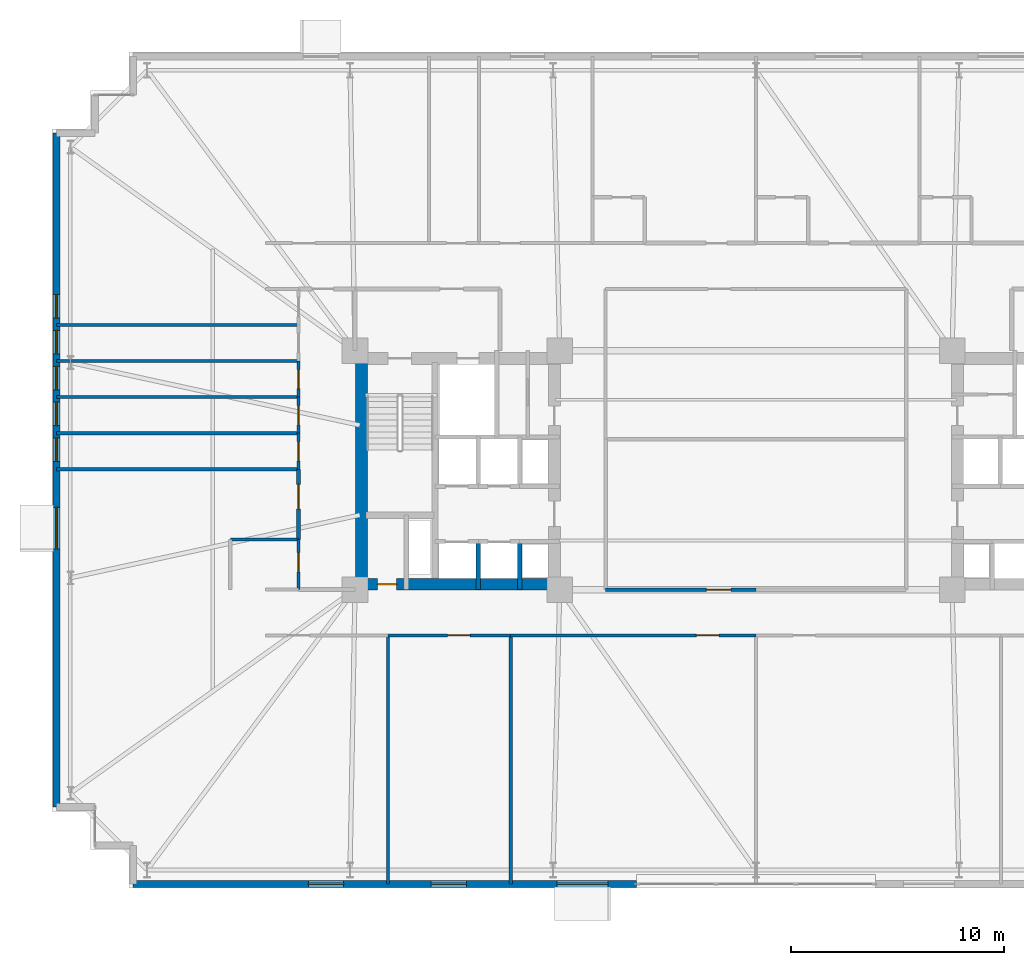
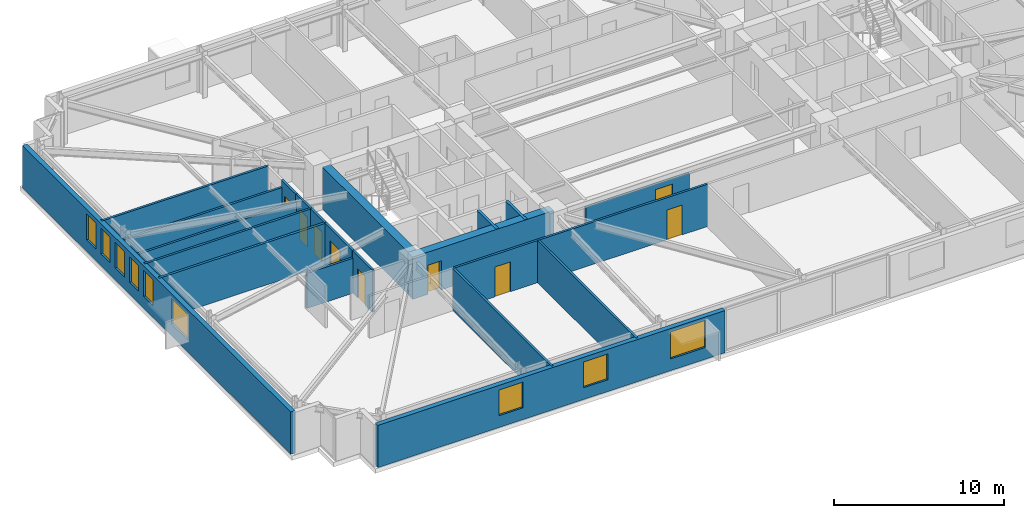
# One storey, part 18 of 24: 22 walls, 9 doors, 9 windows, 18 openings.
"""IFC4 building model written with IfcOpenShell, lengths in metres."""

from ifc_helpers import new_model, si_unit, direction, frame, frame_2d, origin, place, context, subcontext, project, spatial, rectangle, extrude, material, layer, layer_set, type_object, element, fill, save


model = new_model("IFC4")

# Units and contexts
model_context = context("Model", 3, precision=1e-05, world=origin(), true_north=direction((0.0, 1.0)))
body_context = subcontext(model_context, "Body", "Model", "MODEL_VIEW")
ifc_project = project(units=[si_unit("LENGTHUNIT", "METRE"), si_unit("AREAUNIT", "SQUARE_METRE"), si_unit("VOLUMEUNIT", "CUBIC_METRE"), si_unit("PLANEANGLEUNIT", "RADIAN"), si_unit("MASSUNIT", "GRAM", prefix="KILO")], contexts=[model_context])

# Site, building, storey
site_placement = place(None, origin())
site = spatial("IfcSite", under=ifc_project, at=site_placement, CompositionType="ELEMENT")
building_placement = place(site_placement, origin())
building = spatial("IfcBuilding", under=site, at=building_placement, Name="Qobustan Lattice House", CompositionType="ELEMENT")
storey_placement = place(building_placement, frame((0.0, 0.0, 50.449951171875)))
storey = spatial("IfcBuildingStorey", under=building, at=storey_placement, Name="L13", CompositionType="ELEMENT", Elevation=50.449951171875)

# Wall, opening, door
ifc_material_1 = material(Name="Concrete C60/75", Category="concrete")
ifc_layer_1 = layer(ifc_material_1, 0.56005859375)
ifc_layer_set_1 = layer_set([ifc_layer_1], Name="Concrete C60/75")
wall_type_1 = type_object("IfcWallType", Name="WAL-CORE-600", PredefinedType="SHEAR", material=ifc_layer_set_1)
wall_1_placement = place(storey_placement, frame((-18.800048828125, -5.35009765625, 0.0), z_axis=(0.0, 0.0, 1.0), x_axis=(1.0, 0.0, 0.0)))
wall_1 = element("IfcWall", 1, at=wall_1_placement, inside=storey, type_object=wall_type_1, Name="L13 split-core shear wall CW-S", PredefinedType="SHEAR", context=body_context, shape_type="SweptSolid", body=[
    extrude(rectangle(XDim=9.60009765625, YDim=0.56005859375, at=frame_2d((4.800048828125, 0.0))), origin(), (0.0, 0.0, 1.0), 3.03515625),
])
opening_1_placement = place(wall_1_placement, frame((1.050048828125, 0.0, 0.0)))
opening_1 = element("IfcOpeningElement", 2, at=opening_1_placement, cuts=wall_1, Name="Opening RD-01", PredefinedType="OPENING", context=body_context, shape_type="SweptSolid", body=[
    extrude(rectangle(XDim=0.89990234375, YDim=2.10009765625, at=frame_2d((0.449951171875, 1.050048828125))), frame((0.0, 0.2900390625, 0.0), z_axis=(0.0, -1.0, 0.0), x_axis=(1.0, 0.0, 0.0)), (0.0, 0.0, 1.0), 0.580078125),
])
ifc_material_2 = material(Name="Persian walnut timber and steel frame door", Category="steel")
door_type_1 = type_object("IfcDoorType", Name="DOR-RISER-FD-900x2100", OperationType="NOTDEFINED", PredefinedType="DOOR", material=ifc_material_2)
door_1_placement = place(opening_1_placement, origin())
door_1 = element("IfcDoor", 3, at=door_1_placement, inside=storey, type_object=door_type_1, Name="L13 core service riser access door W", OperationType="SINGLE_SWING_RIGHT", OverallHeight=2.10009765625, OverallWidth=0.89990234375, PredefinedType="DOOR", context=body_context, shape_type="SweptSolid", body=[
    extrude(rectangle(XDim=0.89990234375, YDim=2.10009765625, at=frame_2d((0.449951171875, 1.050048828125))), frame((0.0, 0.02490234375, 0.0), z_axis=(0.0, -1.0, 0.0), x_axis=(1.0, 0.0, 0.0)), (0.0, 0.0, 1.0), 0.050048828125),
])
fill(opening_1, door_1)

# Wall
wall_2_placement = place(storey_placement, frame((-18.489990234375, -5.050048828125, 0.0), z_axis=(0.0, 0.0, 1.0), x_axis=(0.0, 1.0, 0.0)))
element("IfcWall", 4, at=wall_2_placement, inside=storey, type_object=wall_type_1, Name="L13 split-core shear wall CW-W", PredefinedType="SHEAR", context=body_context, shape_type="SweptSolid", body=[
    extrude(rectangle(XDim=10.10009765625, YDim=0.56005859375, at=frame_2d((5.050048828125, 0.0))), origin(), (0.0, 0.0, 1.0), 3.03515625),
])

# Wall, openings, windows
ifc_material_3 = material(Name="Precast concrete C40/50", Category="concrete")
ifc_layer_2 = layer(ifc_material_3, 0.320068359375)
ifc_layer_set_2 = layer_set([ifc_layer_2], Name="Precast concrete C40/50")
wall_type_2 = type_object("IfcWallType", Name="WAL-EXT-STONE-320", PredefinedType="SOLIDWALL", material=ifc_layer_set_2)
wall_3_placement = place(storey_placement, frame((-32.800048828125, -15.800048828125, 0.0), z_axis=(0.0, 0.0, 1.0), x_axis=(0.0, 1.0, 0.0)))
wall_3 = element("IfcWall", 5, at=wall_3_placement, inside=storey, type_object=wall_type_2, Name="L13 exterior limestone-clad wall 5", PredefinedType="SOLIDWALL", context=body_context, shape_type="SweptSolid", body=[
    extrude(rectangle(XDim=31.60009765625, YDim=0.320068359375, at=frame_2d((15.800048828125, 0.0))), origin(), (0.0, 0.0, 1.0), 3.03515625),
])
opening_2_placement = place(wall_3_placement, frame((12.10498046875, 0.0, 0.85009765625)))
opening_2 = element("IfcOpeningElement", 6, at=opening_2_placement, cuts=wall_3, Name="Opening WN-08", PredefinedType="OPENING", context=body_context, shape_type="SweptSolid", body=[
    extrude(rectangle(XDim=1.949951171875, YDim=1.85009765625, at=frame_2d((0.97509765625, 0.925048828125))), frame((0.0, 0.169921875, 0.0), z_axis=(0.0, -1.0, 0.0), x_axis=(1.0, 0.0, 0.0)), (0.0, 0.0, 1.0), 0.340087890625),
])
opening_3_placement = place(wall_3_placement, frame((16.2099609375, 0.0, 0.85009765625)))
opening_3 = element("IfcOpeningElement", 7, at=opening_3_placement, cuts=wall_3, Name="Opening WN-04", PredefinedType="OPENING", context=body_context, shape_type="SweptSolid", body=[
    extrude(rectangle(XDim=1.10009765625, YDim=1.85009765625, at=frame_2d((0.550048828125, 0.925048828125))), frame((0.0, 0.169921875, 0.0), z_axis=(0.0, -1.0, 0.0), x_axis=(1.0, 0.0, 0.0)), (0.0, 0.0, 1.0), 0.340087890625),
])
opening_4_placement = place(wall_3_placement, frame((17.889892578125, 0.0, 0.85009765625)))
opening_4 = element("IfcOpeningElement", 8, at=opening_4_placement, cuts=wall_3, Name="Opening WN-04", PredefinedType="OPENING", context=body_context, shape_type="SweptSolid", body=[
    extrude(rectangle(XDim=1.10009765625, YDim=1.85009765625, at=frame_2d((0.550048828125, 0.925048828125))), frame((0.0, 0.169921875, 0.0), z_axis=(0.0, -1.0, 0.0), x_axis=(1.0, 0.0, 0.0)), (0.0, 0.0, 1.0), 0.340087890625),
])
opening_5_placement = place(wall_3_placement, frame((19.570068359375, 0.0, 0.85009765625)))
opening_5 = element("IfcOpeningElement", 9, at=opening_5_placement, cuts=wall_3, Name="Opening WN-04", PredefinedType="OPENING", context=body_context, shape_type="SweptSolid", body=[
    extrude(rectangle(XDim=1.10009765625, YDim=1.85009765625, at=frame_2d((0.550048828125, 0.925048828125))), frame((0.0, 0.169921875, 0.0), z_axis=(0.0, -1.0, 0.0), x_axis=(1.0, 0.0, 0.0)), (0.0, 0.0, 1.0), 0.340087890625),
])
opening_6_placement = place(wall_3_placement, frame((21.25, 0.0, 0.85009765625)))
opening_6 = element("IfcOpeningElement", 10, at=opening_6_placement, cuts=wall_3, Name="Opening WN-04", PredefinedType="OPENING", context=body_context, shape_type="SweptSolid", body=[
    extrude(rectangle(XDim=1.10009765625, YDim=1.85009765625, at=frame_2d((0.550048828125, 0.925048828125))), frame((0.0, 0.169921875, 0.0), z_axis=(0.0, -1.0, 0.0), x_axis=(1.0, 0.0, 0.0)), (0.0, 0.0, 1.0), 0.340087890625),
])
opening_7_placement = place(wall_3_placement, frame((22.929931640625, 0.0, 0.85009765625)))
opening_7 = element("IfcOpeningElement", 11, at=opening_7_placement, cuts=wall_3, Name="Opening WN-04", PredefinedType="OPENING", context=body_context, shape_type="SweptSolid", body=[
    extrude(rectangle(XDim=1.10009765625, YDim=1.85009765625, at=frame_2d((0.550048828125, 0.925048828125))), frame((0.0, 0.169921875, 0.0), z_axis=(0.0, -1.0, 0.0), x_axis=(1.0, 0.0, 0.0)), (0.0, 0.0, 1.0), 0.340087890625),
])
ifc_material_4 = material(Name="Double-glazed low-E aluminium window", Category="aluminium")
window_type_1 = type_object("IfcWindowType", Name="WIN-KIT-1950x1850", PartitioningType="SINGLE_PANEL", PredefinedType="WINDOW", material=ifc_material_4)
window_1_placement = place(opening_2_placement, origin())
window_1 = element("IfcWindow", 12, at=window_1_placement, inside=storey, type_object=window_type_1, Name="L13 Shared kitchen L13W window", OverallHeight=1.85009765625, OverallWidth=1.949951171875, PartitioningType="SINGLE_PANEL", PredefinedType="WINDOW", context=body_context, shape_type="SweptSolid", body=[
    extrude(rectangle(XDim=1.949951171875, YDim=1.85009765625, at=frame_2d((0.97509765625, 0.925048828125))), frame((0.0, 0.030029296875, 0.0), z_axis=(0.0, -1.0, 0.0), x_axis=(1.0, 0.0, 0.0)), (0.0, 0.0, 1.0), 0.06005859375),
])
fill(opening_2, window_1)
ifc_material_5 = material(Name="Double-glazed low-E aluminium window", Category="aluminium")
window_type_2 = type_object("IfcWindowType", Name="WIN-NAR-1100x1850", PartitioningType="SINGLE_PANEL", PredefinedType="WINDOW", material=ifc_material_5)
window_2_placement = place(opening_3_placement, origin())
window_2 = element("IfcWindow", 13, at=window_2_placement, inside=storey, type_object=window_type_2, Name="L13 Cluster bedroom L13W1 window", OverallHeight=1.85009765625, OverallWidth=1.10009765625, PartitioningType="SINGLE_PANEL", PredefinedType="WINDOW", context=body_context, shape_type="SweptSolid", body=[
    extrude(rectangle(XDim=1.10009765625, YDim=1.85009765625, at=frame_2d((0.550048828125, 0.925048828125))), frame((0.0, 0.030029296875, 0.0), z_axis=(0.0, -1.0, 0.0), x_axis=(1.0, 0.0, 0.0)), (0.0, 0.0, 1.0), 0.06005859375),
])
fill(opening_3, window_2)
window_3_placement = place(opening_4_placement, origin())
window_3 = element("IfcWindow", 14, at=window_3_placement, inside=storey, type_object=window_type_2, Name="L13 Cluster bedroom L13W2 window", OverallHeight=1.85009765625, OverallWidth=1.10009765625, PartitioningType="SINGLE_PANEL", PredefinedType="WINDOW", context=body_context, shape_type="SweptSolid", body=[
    extrude(rectangle(XDim=1.10009765625, YDim=1.85009765625, at=frame_2d((0.550048828125, 0.925048828125))), frame((0.0, 0.030029296875, 0.0), z_axis=(0.0, -1.0, 0.0), x_axis=(1.0, 0.0, 0.0)), (0.0, 0.0, 1.0), 0.06005859375),
])
fill(opening_4, window_3)
window_4_placement = place(opening_5_placement, origin())
window_4 = element("IfcWindow", 15, at=window_4_placement, inside=storey, type_object=window_type_2, Name="L13 Cluster bedroom L13W3 window", OverallHeight=1.85009765625, OverallWidth=1.10009765625, PartitioningType="SINGLE_PANEL", PredefinedType="WINDOW", context=body_context, shape_type="SweptSolid", body=[
    extrude(rectangle(XDim=1.10009765625, YDim=1.85009765625, at=frame_2d((0.550048828125, 0.925048828125))), frame((0.0, 0.030029296875, 0.0), z_axis=(0.0, -1.0, 0.0), x_axis=(1.0, 0.0, 0.0)), (0.0, 0.0, 1.0), 0.06005859375),
])
fill(opening_5, window_4)
window_5_placement = place(opening_6_placement, origin())
window_5 = element("IfcWindow", 16, at=window_5_placement, inside=storey, type_object=window_type_2, Name="L13 Cluster bedroom L13W4 window", OverallHeight=1.85009765625, OverallWidth=1.10009765625, PartitioningType="SINGLE_PANEL", PredefinedType="WINDOW", context=body_context, shape_type="SweptSolid", body=[
    extrude(rectangle(XDim=1.10009765625, YDim=1.85009765625, at=frame_2d((0.550048828125, 0.925048828125))), frame((0.0, 0.030029296875, 0.0), z_axis=(0.0, -1.0, 0.0), x_axis=(1.0, 0.0, 0.0)), (0.0, 0.0, 1.0), 0.06005859375),
])
fill(opening_6, window_5)
window_6_placement = place(opening_7_placement, origin())
window_6 = element("IfcWindow", 17, at=window_6_placement, inside=storey, type_object=window_type_2, Name="L13 Cluster bedroom L13W5 window", OverallHeight=1.85009765625, OverallWidth=1.10009765625, PartitioningType="SINGLE_PANEL", PredefinedType="WINDOW", context=body_context, shape_type="SweptSolid", body=[
    extrude(rectangle(XDim=1.10009765625, YDim=1.85009765625, at=frame_2d((0.550048828125, 0.925048828125))), frame((0.0, 0.030029296875, 0.0), z_axis=(0.0, -1.0, 0.0), x_axis=(1.0, 0.0, 0.0)), (0.0, 0.0, 1.0), 0.06005859375),
])
fill(opening_7, window_6)

wall_4_placement = place(storey_placement, frame((-5.60009765625, -19.39990234375, 0.0), z_axis=(0.0, 0.0, 1.0), x_axis=(-1.0, 0.0, 0.0)))
wall_4 = element("IfcWall", 18, at=wall_4_placement, inside=storey, type_object=wall_type_2, Name="L13 iwan flank stone wall B", PredefinedType="SOLIDWALL", context=body_context, shape_type="SweptSolid", body=[
    extrude(rectangle(XDim=23.599853515625, YDim=0.320068359375, at=frame_2d((11.7998046875, 0.0))), origin(), (0.0, 0.0, 1.0), 3.03515625),
])
opening_8_placement = place(wall_4_placement, frame((1.330078125, 0.0, 0.85009765625)))
opening_8 = element("IfcOpeningElement", 19, at=opening_8_placement, cuts=wall_4, Name="Opening WN-10", PredefinedType="OPENING", context=body_context, shape_type="SweptSolid", body=[
    extrude(rectangle(XDim=2.39990234375, YDim=1.949951171875, at=frame_2d((1.199951171875, 0.97509765625))), frame((0.0, 0.169921875, 0.0), z_axis=(0.0, -1.0, 0.0), x_axis=(1.0, 0.0, 0.0)), (0.0, 0.0, 1.0), 0.340087890625),
])
opening_9_placement = place(wall_4_placement, frame((7.97509765625, 0.0, 0.85009765625)))
opening_9 = element("IfcOpeningElement", 20, at=opening_9_placement, cuts=wall_4, Name="Opening WN-09", PredefinedType="OPENING", context=body_context, shape_type="SweptSolid", body=[
    extrude(rectangle(XDim=1.64990234375, YDim=1.85009765625, at=frame_2d((0.824951171875, 0.925048828125))), frame((0.0, 0.169921875, 0.0), z_axis=(0.0, -1.0, 0.0), x_axis=(1.0, 0.0, 0.0)), (0.0, 0.0, 1.0), 0.340087890625),
])
opening_10_placement = place(wall_4_placement, frame((13.735107421875, 0.0, 0.85009765625)))
opening_10 = element("IfcOpeningElement", 21, at=opening_10_placement, cuts=wall_4, Name="Opening WN-09", PredefinedType="OPENING", context=body_context, shape_type="SweptSolid", body=[
    extrude(rectangle(XDim=1.64990234375, YDim=1.85009765625, at=frame_2d((0.824951171875, 0.925048828125))), frame((0.0, 0.169921875, 0.0), z_axis=(0.0, -1.0, 0.0), x_axis=(1.0, 0.0, 0.0)), (0.0, 0.0, 1.0), 0.340087890625),
])
ifc_material_6 = material(Name="Double-glazed low-E aluminium window", Category="aluminium")
window_type_3 = type_object("IfcWindowType", Name="WIN-LNG-2400x1950", PartitioningType="SINGLE_PANEL", PredefinedType="WINDOW", material=ifc_material_6)
window_7_placement = place(opening_8_placement, origin())
window_7 = element("IfcWindow", 22, at=window_7_placement, inside=storey, type_object=window_type_3, Name="L13 Walnut iwan sky lounge S2 window", OverallHeight=1.949951171875, OverallWidth=2.39990234375, PartitioningType="SINGLE_PANEL", PredefinedType="WINDOW", context=body_context, shape_type="SweptSolid", body=[
    extrude(rectangle(XDim=2.39990234375, YDim=1.949951171875, at=frame_2d((1.199951171875, 0.97509765625))), frame((0.0, 0.030029296875, 0.0), z_axis=(0.0, -1.0, 0.0), x_axis=(1.0, 0.0, 0.0)), (0.0, 0.0, 1.0), 0.06005859375),
])
fill(opening_8, window_7)
ifc_material_7 = material(Name="Double-glazed low-E aluminium window", Category="aluminium")
window_type_4 = type_object("IfcWindowType", Name="WIN-STU-1650x1850", PartitioningType="SINGLE_PANEL", PredefinedType="WINDOW", material=ifc_material_7)
window_8_placement = place(opening_9_placement, origin())
window_8 = element("IfcWindow", 23, at=window_8_placement, inside=storey, type_object=window_type_4, Name="L13 Focus study room S1B window", OverallHeight=1.85009765625, OverallWidth=1.64990234375, PartitioningType="SINGLE_PANEL", PredefinedType="WINDOW", context=body_context, shape_type="SweptSolid", body=[
    extrude(rectangle(XDim=1.64990234375, YDim=1.85009765625, at=frame_2d((0.824951171875, 0.925048828125))), frame((0.0, 0.030029296875, 0.0), z_axis=(0.0, -1.0, 0.0), x_axis=(1.0, 0.0, 0.0)), (0.0, 0.0, 1.0), 0.06005859375),
])
fill(opening_9, window_8)
window_9_placement = place(opening_10_placement, origin())
window_9 = element("IfcWindow", 24, at=window_9_placement, inside=storey, type_object=window_type_4, Name="L13 Focus study room S1A window", OverallHeight=1.85009765625, OverallWidth=1.64990234375, PartitioningType="SINGLE_PANEL", PredefinedType="WINDOW", context=body_context, shape_type="SweptSolid", body=[
    extrude(rectangle(XDim=1.64990234375, YDim=1.85009765625, at=frame_2d((0.824951171875, 0.925048828125))), frame((0.0, 0.030029296875, 0.0), z_axis=(0.0, -1.0, 0.0), x_axis=(1.0, 0.0, 0.0)), (0.0, 0.0, 1.0), 0.06005859375),
])
fill(opening_10, window_9)

# Wall, opening, door
ifc_material_8 = material(Name="Acoustic twin-stud gypsum partition", Category="gypsum")
ifc_layer_3 = layer(ifc_material_8, 0.14990234375)
ifc_layer_set_3 = layer_set([ifc_layer_3], Name="Acoustic twin-stud gypsum partition")
wall_type_3 = type_object("IfcWallType", Name="WAL-PART-150", PredefinedType="PARTITIONING", material=ifc_layer_set_3)
wall_5_placement = place(storey_placement, frame((-11.5, -7.75, 0.0), z_axis=(0.0, 0.0, 1.0), x_axis=(-1.0, 0.0, 0.0)))
wall_5 = element("IfcWall", 25, at=wall_5_placement, inside=storey, type_object=wall_type_3, Name="L13 interior partition 57", PredefinedType="PARTITIONING", context=body_context, shape_type="SweptSolid", body=[
    extrude(rectangle(XDim=5.75, YDim=0.14990234375, at=frame_2d((2.875, 0.0))), origin(), (0.0, 0.0, 1.0), 3.03515625),
])
opening_11_placement = place(wall_5_placement, frame((1.907470703125, 0.0, 0.0)))
opening_11 = element("IfcOpeningElement", 26, at=opening_11_placement, cuts=wall_5, Name="Opening ID-02", PredefinedType="OPENING", context=body_context, shape_type="SweptSolid", body=[
    extrude(rectangle(XDim=1.050048828125, YDim=2.14990234375, at=frame_2d((0.52490234375, 1.074951171875))), frame((0.0, 0.0849609375, 0.0), z_axis=(0.0, -1.0, 0.0), x_axis=(1.0, 0.0, 0.0)), (0.0, 0.0, 1.0), 0.169921875),
])
ifc_material_9 = material(Name="Persian walnut timber and steel frame door", Category="steel")
door_type_2 = type_object("IfcDoorType", Name="DOR-STUDY-1050x2150", OperationType="NOTDEFINED", PredefinedType="DOOR", material=ifc_material_9)
door_2_placement = place(opening_11_placement, origin())
door_2 = element("IfcDoor", 27, at=door_2_placement, inside=storey, type_object=door_type_2, Name="L13 South-west floor corridor to Focus study room S1B door", OperationType="SINGLE_SWING_LEFT", OverallHeight=2.14990234375, OverallWidth=1.050048828125, PredefinedType="DOOR", context=body_context, shape_type="SweptSolid", body=[
    extrude(rectangle(XDim=1.050048828125, YDim=2.14990234375, at=frame_2d((0.52490234375, 1.074951171875))), frame((0.0, 0.02490234375, 0.0), z_axis=(0.0, -1.0, 0.0), x_axis=(1.0, 0.0, 0.0)), (0.0, 0.0, 1.0), 0.050048828125),
])
fill(opening_11, door_2)

wall_6_placement = place(storey_placement, frame((0.0, -7.75, 0.0), z_axis=(0.0, 0.0, 1.0), x_axis=(-1.0, 0.0, 0.0)))
wall_6 = element("IfcWall", 28, at=wall_6_placement, inside=storey, type_object=wall_type_3, Name="L13 interior partition 58", PredefinedType="PARTITIONING", context=body_context, shape_type="SweptSolid", body=[
    extrude(rectangle(XDim=11.5, YDim=0.14990234375, at=frame_2d((5.75, 0.0))), origin(), (0.0, 0.0, 1.0), 3.03515625),
])
opening_12_placement = place(wall_6_placement, frame((1.7412109375, 0.0, 0.0)))
opening_12 = element("IfcOpeningElement", 29, at=opening_12_placement, cuts=wall_6, Name="Opening ID-02", PredefinedType="OPENING", context=body_context, shape_type="SweptSolid", body=[
    extrude(rectangle(XDim=1.050048828125, YDim=2.14990234375, at=frame_2d((0.52490234375, 1.074951171875))), frame((0.0, 0.0849609375, 0.0), z_axis=(0.0, -1.0, 0.0), x_axis=(1.0, 0.0, 0.0)), (0.0, 0.0, 1.0), 0.169921875),
])
door_3_placement = place(opening_12_placement, origin())
door_3 = element("IfcDoor", 30, at=door_3_placement, inside=storey, type_object=door_type_2, Name="L13 South-west floor corridor to Walnut iwan sky lounge S2 door", OperationType="SINGLE_SWING_RIGHT", OverallHeight=2.14990234375, OverallWidth=1.050048828125, PredefinedType="DOOR", context=body_context, shape_type="SweptSolid", body=[
    extrude(rectangle(XDim=1.050048828125, YDim=2.14990234375, at=frame_2d((0.52490234375, 1.074951171875))), frame((0.0, 0.02490234375, 0.0), z_axis=(0.0, -1.0, 0.0), x_axis=(1.0, 0.0, 0.0)), (0.0, 0.0, 1.0), 0.050048828125),
])
fill(opening_12, door_3)

wall_7_placement = place(storey_placement, frame((-21.449951171875, 0.0400390625, 0.0), z_axis=(0.0, 0.0, 1.0), x_axis=(0.0, 1.0, 0.0)))
wall_7 = element("IfcWall", 31, at=wall_7_placement, inside=storey, type_object=wall_type_3, Name="L13 interior partition 72", PredefinedType="PARTITIONING", context=body_context, shape_type="SweptSolid", body=[
    extrude(rectangle(XDim=1.69189453125, YDim=0.14990234375, at=frame_2d((0.845947265625, 0.0))), origin(), (0.0, 0.0, 1.0), 3.03515625),
])
opening_13_placement = place(wall_7_placement, frame((0.39599609375, 0.0, 0.0)))
opening_13 = element("IfcOpeningElement", 32, at=opening_13_placement, cuts=wall_7, Name="Opening WD-01", PredefinedType="OPENING", context=body_context, shape_type="SweptSolid", body=[
    extrude(rectangle(XDim=0.89990234375, YDim=2.10009765625, at=frame_2d((0.449951171875, 1.050048828125))), frame((0.0, 0.0849609375, 0.0), z_axis=(0.0, -1.0, 0.0), x_axis=(1.0, 0.0, 0.0)), (0.0, 0.0, 1.0), 0.169921875),
])
ifc_material_10 = material(Name="Persian walnut timber and steel frame door", Category="steel")
door_type_3 = type_object("IfcDoorType", Name="DOR-WET-900x2100", OperationType="NOTDEFINED", PredefinedType="DOOR", material=ifc_material_10)
door_4_placement = place(opening_13_placement, origin())
door_4 = element("IfcDoor", 33, at=door_4_placement, inside=storey, type_object=door_type_3, Name="L13 Residence entrance hall L13W to Cluster bedroom L13W1 door", OperationType="SINGLE_SWING_LEFT", OverallHeight=2.10009765625, OverallWidth=0.89990234375, PredefinedType="DOOR", context=body_context, shape_type="SweptSolid", body=[
    extrude(rectangle(XDim=0.89990234375, YDim=2.10009765625, at=frame_2d((0.449951171875, 1.050048828125))), frame((0.0, 0.02490234375, 0.0), z_axis=(0.0, -1.0, 0.0), x_axis=(1.0, 0.0, 0.0)), (0.0, 0.0, 1.0), 0.050048828125),
])
fill(opening_13, door_4)

wall_8_placement = place(storey_placement, frame((-21.449951171875, 1.73193359375, 0.0), z_axis=(0.0, 0.0, 1.0), x_axis=(0.0, 1.0, 0.0)))
wall_8 = element("IfcWall", 34, at=wall_8_placement, inside=storey, type_object=wall_type_3, Name="L13 interior partition 73", PredefinedType="PARTITIONING", context=body_context, shape_type="SweptSolid", body=[
    extrude(rectangle(XDim=1.692138671875, YDim=0.14990234375, at=frame_2d((0.84619140625, 0.0))), origin(), (0.0, 0.0, 1.0), 3.03515625),
])
opening_14_placement = place(wall_8_placement, frame((0.39599609375, 0.0, 0.0)))
opening_14 = element("IfcOpeningElement", 35, at=opening_14_placement, cuts=wall_8, Name="Opening WD-01", PredefinedType="OPENING", context=body_context, shape_type="SweptSolid", body=[
    extrude(rectangle(XDim=0.89990234375, YDim=2.10009765625, at=frame_2d((0.449951171875, 1.050048828125))), frame((0.0, 0.0849609375, 0.0), z_axis=(0.0, -1.0, 0.0), x_axis=(1.0, 0.0, 0.0)), (0.0, 0.0, 1.0), 0.169921875),
])
door_5_placement = place(opening_14_placement, origin())
door_5 = element("IfcDoor", 36, at=door_5_placement, inside=storey, type_object=door_type_3, Name="L13 Residence entrance hall L13W to Cluster bedroom L13W2 door", OperationType="SINGLE_SWING_RIGHT", OverallHeight=2.10009765625, OverallWidth=0.89990234375, PredefinedType="DOOR", context=body_context, shape_type="SweptSolid", body=[
    extrude(rectangle(XDim=0.89990234375, YDim=2.10009765625, at=frame_2d((0.449951171875, 1.050048828125))), frame((0.0, 0.02490234375, 0.0), z_axis=(0.0, -1.0, 0.0), x_axis=(1.0, 0.0, 0.0)), (0.0, 0.0, 1.0), 0.050048828125),
])
fill(opening_14, door_5)

wall_9_placement = place(storey_placement, frame((-21.449951171875, 3.424072265625, 0.0), z_axis=(0.0, 0.0, 1.0), x_axis=(0.0, 1.0, 0.0)))
wall_9 = element("IfcWall", 37, at=wall_9_placement, inside=storey, type_object=wall_type_3, Name="L13 interior partition 74", PredefinedType="PARTITIONING", context=body_context, shape_type="SweptSolid", body=[
    extrude(rectangle(XDim=1.69189453125, YDim=0.14990234375, at=frame_2d((0.845947265625, 0.0))), origin(), (0.0, 0.0, 1.0), 3.03515625),
])
opening_15_placement = place(wall_9_placement, frame((0.39599609375, 0.0, 0.0)))
opening_15 = element("IfcOpeningElement", 38, at=opening_15_placement, cuts=wall_9, Name="Opening WD-01", PredefinedType="OPENING", context=body_context, shape_type="SweptSolid", body=[
    extrude(rectangle(XDim=0.89990234375, YDim=2.10009765625, at=frame_2d((0.449951171875, 1.050048828125))), frame((0.0, 0.0849609375, 0.0), z_axis=(0.0, -1.0, 0.0), x_axis=(1.0, 0.0, 0.0)), (0.0, 0.0, 1.0), 0.169921875),
])
door_6_placement = place(opening_15_placement, origin())
door_6 = element("IfcDoor", 39, at=door_6_placement, inside=storey, type_object=door_type_3, Name="L13 Residence entrance hall L13W to Cluster bedroom L13W3 door", OperationType="SINGLE_SWING_LEFT", OverallHeight=2.10009765625, OverallWidth=0.89990234375, PredefinedType="DOOR", context=body_context, shape_type="SweptSolid", body=[
    extrude(rectangle(XDim=0.89990234375, YDim=2.10009765625, at=frame_2d((0.449951171875, 1.050048828125))), frame((0.0, 0.02490234375, 0.0), z_axis=(0.0, -1.0, 0.0), x_axis=(1.0, 0.0, 0.0)), (0.0, 0.0, 1.0), 0.050048828125),
])
fill(opening_15, door_6)

# Walls
wall_10_placement = place(storey_placement, frame((-32.800048828125, 1.73193359375, 0.0), z_axis=(0.0, 0.0, 1.0), x_axis=(1.0, 0.0, 0.0)))
element("IfcWall", 40, at=wall_10_placement, inside=storey, type_object=wall_type_3, Name="L13 interior partition 80", PredefinedType="PARTITIONING", context=body_context, shape_type="SweptSolid", body=[
    extrude(rectangle(XDim=11.35009765625, YDim=0.14990234375, at=frame_2d((5.675048828125, 0.0))), origin(), (0.0, 0.0, 1.0), 3.03515625),
])
for number, where, z_axis, x_axis, name in (
    (41, (-32.800048828125, 3.424072265625, 0.0), (0.0, 0.0, 1.0), (1.0, 0.0, 0.0), "L13 interior partition 81"),
    (42, (-32.800048828125, 5.115966796875, 0.0), (0.0, 0.0, 1.0), (1.0, 0.0, 0.0), "L13 interior partition 82"),
):
    element("IfcWall", number, at=place(storey_placement, frame(where, z_axis=z_axis, x_axis=x_axis)), inside=storey, type_object=wall_type_3, Name=name, PredefinedType="PARTITIONING", context=body_context, shape_type="SweptSolid", body=[
        extrude(rectangle(XDim=11.35009765625, YDim=0.14990234375, at=frame_2d((5.675048828125, 0.0))), origin(), (0.0, 0.0, 1.0), 2.52001953125),
    ])
wall_11_placement = place(storey_placement, frame((-32.800048828125, 6.80810546875, 0.0), z_axis=(0.0, 0.0, 1.0), x_axis=(1.0, 0.0, 0.0)))
element("IfcWall", 43, at=wall_11_placement, inside=storey, type_object=wall_type_3, Name="L13 interior partition 83", PredefinedType="PARTITIONING", context=body_context, shape_type="SweptSolid", body=[
    extrude(rectangle(XDim=11.35009765625, YDim=0.14990234375, at=frame_2d((5.675048828125, 0.0))), origin(), (0.0, 0.0, 1.0), 3.03515625),
])
for number, where, z_axis, x_axis, name in (
    (44, (-17.25, -7.75, 0.0), (0.0, 0.0, 1.0), (0.0, -1.0, 0.0), "L13 interior partition 113"),
    (45, (-11.5, -7.75, 0.0), (0.0, 0.0, 1.0), (0.0, -1.0, 0.0), "L13 interior partition 114"),
):
    element("IfcWall", number, at=place(storey_placement, frame(where, z_axis=z_axis, x_axis=x_axis)), inside=storey, type_object=wall_type_3, Name=name, PredefinedType="PARTITIONING", context=body_context, shape_type="SweptSolid", body=[
        extrude(rectangle(XDim=11.64990234375, YDim=0.14990234375, at=frame_2d((5.824951171875, 0.0))), origin(), (0.0, 0.0, 1.0), 3.03515625),
    ])

# Wall, opening, door
ifc_material_11 = material(Name="High-mass acoustic twin-stud partition", Category="gypsum")
ifc_layer_4 = layer(ifc_material_11, 0.1650390625)
ifc_layer_set_4 = layer_set([ifc_layer_4], Name="High-mass acoustic twin-stud partition")
wall_type_4 = type_object("IfcWallType", Name="WAL-PART-165", PredefinedType="PARTITIONING", material=ifc_layer_set_4)
wall_12_placement = place(storey_placement, frame((-7.050048828125, -5.60009765625, 0.0), z_axis=(0.0, 0.0, 1.0), x_axis=(1.0, 0.0, 0.0)))
wall_12 = element("IfcWall", 46, at=wall_12_placement, inside=storey, type_object=wall_type_4, Name="L13 interior partition 59", PredefinedType="PARTITIONING", context=body_context, shape_type="SweptSolid", body=[
    extrude(rectangle(XDim=7.050048828125, YDim=0.1650390625, at=frame_2d((3.52490234375, 0.0))), origin(), (0.0, 0.0, 1.0), 2.52001953125),
])
opening_16_placement = place(wall_12_placement, frame((4.7275390625, 0.0, 0.0)))
opening_16 = element("IfcOpeningElement", 47, at=opening_16_placement, cuts=wall_12, Name="Opening ID-03", PredefinedType="OPENING", context=body_context, shape_type="SweptSolid", body=[
    extrude(rectangle(XDim=1.14990234375, YDim=2.14990234375, at=frame_2d((0.574951171875, 1.074951171875))), frame((0.0, 0.092529296875, 0.0), z_axis=(0.0, -1.0, 0.0), x_axis=(1.0, 0.0, 0.0)), (0.0, 0.0, 1.0), 0.18505859375),
])
ifc_material_12 = material(Name="Persian walnut timber and steel frame door", Category="steel")
door_type_4 = type_object("IfcDoorType", Name="DOR-KITCH-1150x2150", OperationType="NOTDEFINED", PredefinedType="DOOR", material=ifc_material_12)
door_7_placement = place(opening_16_placement, origin())
door_7 = element("IfcDoor", 48, at=door_7_placement, inside=storey, type_object=door_type_4, Name="L13 South-west floor corridor to Communal dining kitchen door", OperationType="SINGLE_SWING_LEFT", OverallHeight=2.14990234375, OverallWidth=1.14990234375, PredefinedType="DOOR", context=body_context, shape_type="SweptSolid", body=[
    extrude(rectangle(XDim=1.14990234375, YDim=2.14990234375, at=frame_2d((0.574951171875, 1.074951171875))), frame((0.0, 0.02490234375, 0.0), z_axis=(0.0, -1.0, 0.0), x_axis=(1.0, 0.0, 0.0)), (0.0, 0.0, 1.0), 0.050048828125),
])
fill(opening_16, door_7)

wall_13_placement = place(storey_placement, frame((-21.449951171875, -3.25, 0.0), z_axis=(0.0, 0.0, 1.0), x_axis=(0.0, 1.0, 0.0)))
wall_13 = element("IfcWall", 49, at=wall_13_placement, inside=storey, type_object=wall_type_4, Name="L13 interior partition 71", PredefinedType="PARTITIONING", context=body_context, shape_type="SweptSolid", body=[
    extrude(rectangle(XDim=3.2900390625, YDim=0.1650390625, at=frame_2d((1.64501953125, 0.0))), origin(), (0.0, 0.0, 1.0), 3.03515625),
])
opening_17_placement = place(wall_13_placement, frame((1.4375, 0.0, 0.0)))
opening_17 = element("IfcOpeningElement", 50, at=opening_17_placement, cuts=wall_13, Name="Opening ID-03", PredefinedType="OPENING", context=body_context, shape_type="SweptSolid", body=[
    extrude(rectangle(XDim=1.14990234375, YDim=2.14990234375, at=frame_2d((0.574951171875, 1.074951171875))), frame((0.0, 0.092529296875, 0.0), z_axis=(0.0, -1.0, 0.0), x_axis=(1.0, 0.0, 0.0)), (0.0, 0.0, 1.0), 0.18505859375),
])
door_8_placement = place(opening_17_placement, origin())
door_8 = element("IfcDoor", 51, at=door_8_placement, inside=storey, type_object=door_type_4, Name="L13 Residence entrance hall L13W to Shared kitchen L13W door", OperationType="SINGLE_SWING_RIGHT", OverallHeight=2.14990234375, OverallWidth=1.14990234375, PredefinedType="DOOR", context=body_context, shape_type="SweptSolid", body=[
    extrude(rectangle(XDim=1.14990234375, YDim=2.14990234375, at=frame_2d((0.574951171875, 1.074951171875))), frame((0.0, 0.02490234375, 0.0), z_axis=(0.0, -1.0, 0.0), x_axis=(1.0, 0.0, 0.0)), (0.0, 0.0, 1.0), 0.050048828125),
])
fill(opening_17, door_8)

# Walls
wall_14_placement = place(storey_placement, frame((-32.800048828125, 0.0400390625, 0.0), z_axis=(0.0, 0.0, 1.0), x_axis=(1.0, 0.0, 0.0)))
element("IfcWall", 52, at=wall_14_placement, inside=storey, type_object=wall_type_4, Name="L13 interior partition 79", PredefinedType="PARTITIONING", context=body_context, shape_type="SweptSolid", body=[
    extrude(rectangle(XDim=11.35009765625, YDim=0.1650390625, at=frame_2d((5.675048828125, 0.0))), origin(), (0.0, 0.0, 1.0), 3.03515625),
])
ifc_material_13 = material(Name="Concrete C40/50", Category="concrete")
ifc_layer_5 = layer(ifc_material_13, 0.199951171875)
ifc_layer_set_5 = layer_set([ifc_layer_5], Name="Concrete C40/50")
wall_type_5 = type_object("IfcWallType", Name="WAL-SHAFT-200", PredefinedType="PARTITIONING", material=ifc_layer_set_5)
for number, where, z_axis, x_axis, name in (
    (53, (-13.02001953125, -5.60009765625, 0.0), (0.0, 0.0, 1.0), (0.0, 1.0, 0.0), "L13 interior partition 15"),
    (54, (-11.080078125, -5.60009765625, 0.0), (0.0, 0.0, 1.0), (0.0, 1.0, 0.0), "L13 interior partition 16"),
):
    element("IfcWall", number, at=place(storey_placement, frame(where, z_axis=z_axis, x_axis=x_axis)), inside=storey, type_object=wall_type_5, Name=name, PredefinedType="PARTITIONING", context=body_context, shape_type="SweptSolid", body=[
        extrude(rectangle(XDim=2.25, YDim=0.199951171875, at=frame_2d((1.125, 0.0))), origin(), (0.0, 0.0, 1.0), 3.03515625),
    ])

# Wall, opening, door
ifc_material_14 = material(Name="Moisture-resistant acoustic plumbing wall", Category="gypsum")
ifc_layer_6 = layer(ifc_material_14, 0.14990234375)
ifc_layer_set_6 = layer_set([ifc_layer_6], Name="Moisture-resistant acoustic plumbing wall")
wall_type_6 = type_object("IfcWallType", Name="WAL-WET-150", PredefinedType="PLUMBINGWALL", material=ifc_layer_set_6)
wall_15_placement = place(storey_placement, frame((-21.449951171875, -5.60009765625, 0.0), z_axis=(0.0, 0.0, 1.0), x_axis=(0.0, 1.0, 0.0)))
wall_15 = element("IfcWall", 55, at=wall_15_placement, inside=storey, type_object=wall_type_6, Name="L13 interior partition 70", PredefinedType="PLUMBINGWALL", context=body_context, shape_type="SweptSolid", body=[
    extrude(rectangle(XDim=2.35009765625, YDim=0.14990234375, at=frame_2d((1.175048828125, 0.0))), origin(), (0.0, 0.0, 1.0), 3.03515625),
])
opening_18_placement = place(wall_15_placement, frame((0.833740234375, 0.0, 0.0)))
opening_18 = element("IfcOpeningElement", 56, at=opening_18_placement, cuts=wall_15, Name="Opening WD-01", PredefinedType="OPENING", context=body_context, shape_type="SweptSolid", body=[
    extrude(rectangle(XDim=0.89990234375, YDim=2.10009765625, at=frame_2d((0.449951171875, 1.050048828125))), frame((0.0, 0.0849609375, 0.0), z_axis=(0.0, -1.0, 0.0), x_axis=(1.0, 0.0, 0.0)), (0.0, 0.0, 1.0), 0.169921875),
])
door_9_placement = place(opening_18_placement, origin())
door_9 = element("IfcDoor", 57, at=door_9_placement, inside=storey, type_object=door_type_3, Name="L13 Residence entrance hall L13W to Shared bathroom L13W door", OperationType="SINGLE_SWING_LEFT", OverallHeight=2.10009765625, OverallWidth=0.89990234375, PredefinedType="DOOR", context=body_context, shape_type="SweptSolid", body=[
    extrude(rectangle(XDim=0.89990234375, YDim=2.10009765625, at=frame_2d((0.449951171875, 1.050048828125))), frame((0.0, 0.02490234375, 0.0), z_axis=(0.0, -1.0, 0.0), x_axis=(1.0, 0.0, 0.0)), (0.0, 0.0, 1.0), 0.050048828125),
])
fill(opening_18, door_9)

# Wall
wall_16_placement = place(storey_placement, frame((-24.64990234375, -3.25, 0.0), z_axis=(0.0, 0.0, 1.0), x_axis=(1.0, 0.0, 0.0)))
element("IfcWall", 58, at=wall_16_placement, inside=storey, type_object=wall_type_6, Name="L13 interior partition 77", PredefinedType="PLUMBINGWALL", context=body_context, shape_type="SweptSolid", body=[
    extrude(rectangle(XDim=3.199951171875, YDim=0.14990234375, at=frame_2d((1.60009765625, 0.0))), origin(), (0.0, 0.0, 1.0), 2.52001953125),
])

save(model, "model.ifc")
